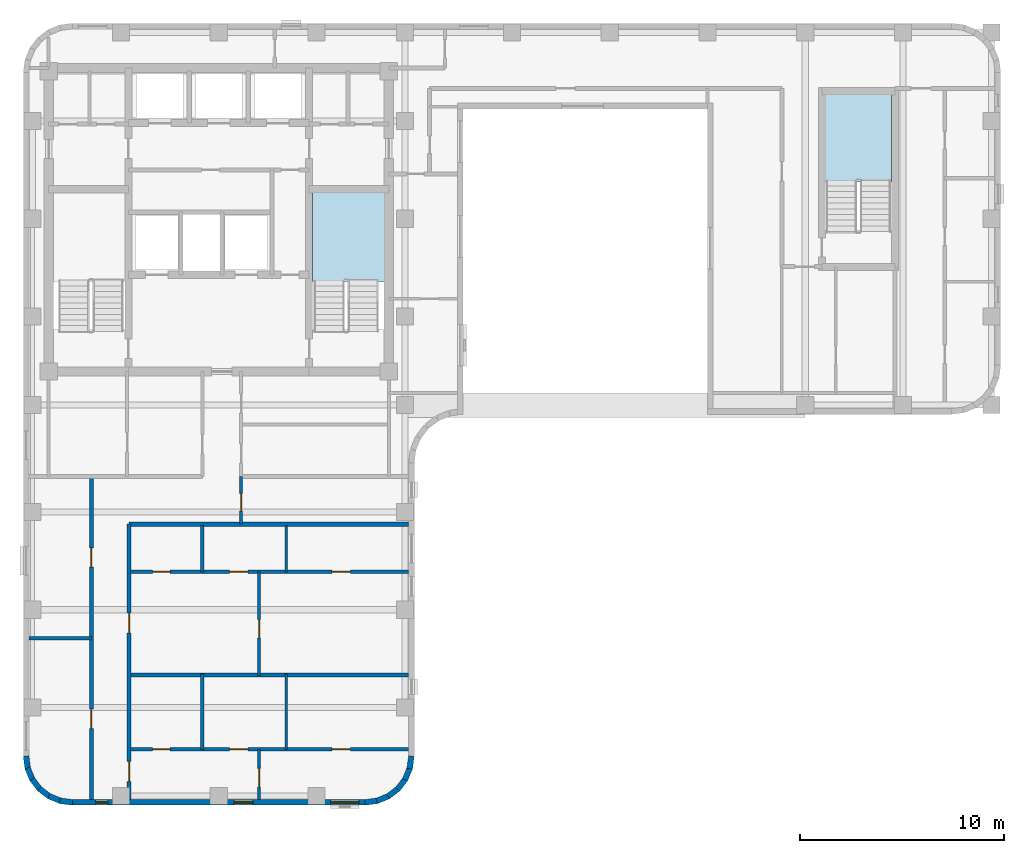
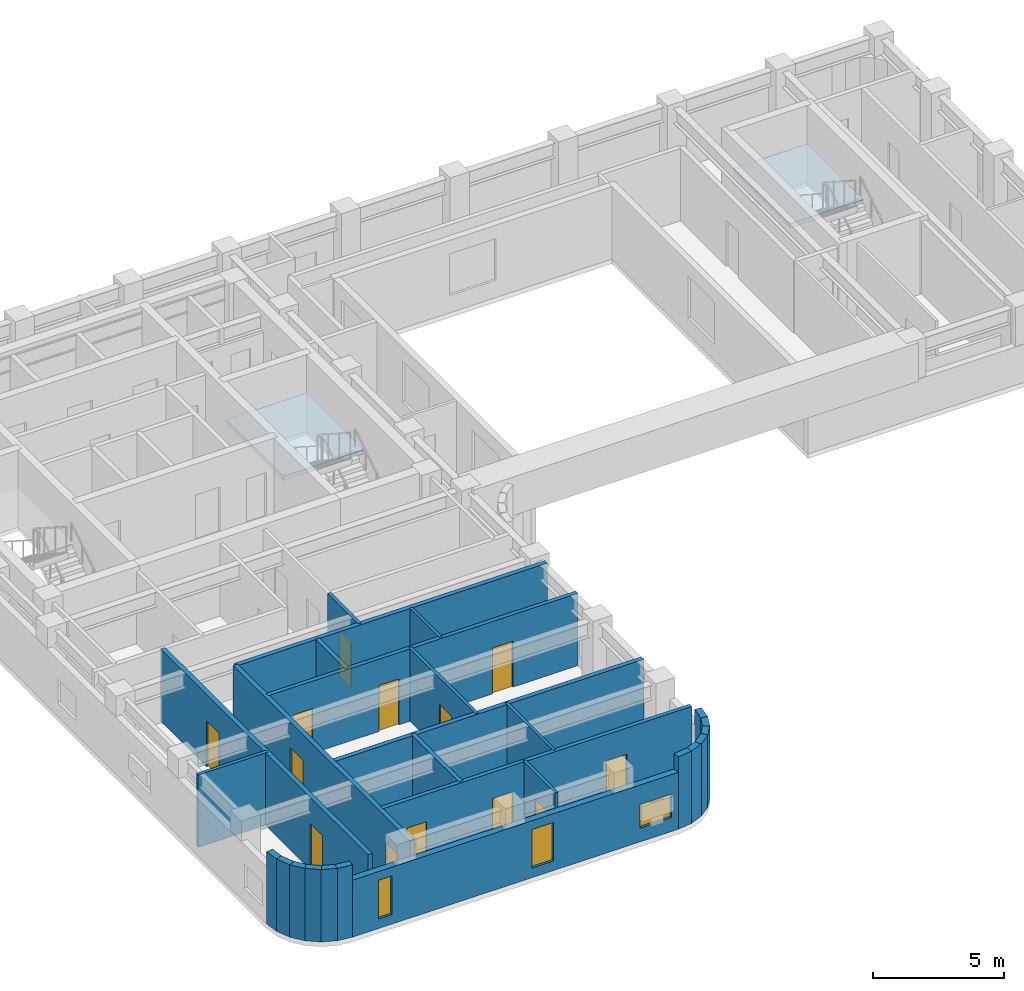
# One storey, part 2 of 8: 27 walls, 13 doors, 3 windows, 2 slabs, 16 openings, 2 elements without a shape of their own.
"""IFC4 building model written with IfcOpenShell, lengths in metres."""

from ifc_helpers import new_model, si_unit, direction, frame, frame_2d, origin, place, context, subcontext, project, spatial, polyline, rectangle, outline, extrude, material, layer, layer_set, type_object, element, fill, aggregate, save


model = new_model("IFC4")

# Units and contexts
model_context = context("Model", 3, precision=1e-05, world=origin(), true_north=direction((0.0, 1.0)))
body_context = subcontext(model_context, "Body", "Model", "MODEL_VIEW")
ifc_project = project(units=[si_unit("LENGTHUNIT", "METRE"), si_unit("AREAUNIT", "SQUARE_METRE"), si_unit("VOLUMEUNIT", "CUBIC_METRE"), si_unit("PLANEANGLEUNIT", "RADIAN"), si_unit("MASSUNIT", "GRAM", prefix="KILO")], contexts=[model_context])

# Site, building, storey
site_placement = place(None, origin())
site = spatial("IfcSite", under=ifc_project, at=site_placement, CompositionType="ELEMENT")
building_placement = place(site_placement, origin())
building = spatial("IfcBuilding", under=site, at=building_placement, Name="Orvandelia Arch Residences", CompositionType="ELEMENT")
storey_placement = place(building_placement, frame((0.0, 0.0, 203.800048828125)))
storey = spatial("IfcBuildingStorey", under=building, at=storey_placement, Name="L53", CompositionType="ELEMENT", Elevation=203.800048828125)

# Stair, slab
ifc_material_1 = material(Name="Concrete C40/50", Category="concrete")
stair_type = type_object("IfcStairType", Name="STAIR-RC-DOGLEG", PredefinedType="HALF_TURN_STAIR", material=ifc_material_1)
stair_1_placement = place(storey_placement, origin())
stair_1 = element("IfcStair", 1, at=stair_1_placement, inside=storey, type_object=stair_type, Name="L53 Protected Exit Stair ST-2", PredefinedType="HALF_TURN_STAIR")
ifc_layer_1 = layer(ifc_material_1, 0.219970703125, Name="Concrete C40/50", Category="concrete")
ifc_layer_set_1 = layer_set([ifc_layer_1], Name="Concrete C40/50")
slab_type = type_object("IfcSlabType", Name="SLB-LANDING-220", PredefinedType="LANDING", material=ifc_layer_set_1)
slab_1_placement = place(storey_placement, frame((0.0, 0.0, 1.599853515625)))
slab_1 = element("IfcSlab", 2, at=slab_1_placement, type_object=slab_type, Name="ST-2 landing 1", PredefinedType="LANDING", context=body_context, shape_type="SweptSolid", body=[
    extrude(outline(polyline([(22.5400390625, 35.31005859375), (22.5400390625, 39.68994140625), (19.0, 39.68994140625), (19.0, 35.31005859375), (22.5400390625, 35.31005859375)])), origin(), (0.0, 0.0, 1.0), 0.2001953125),
])
aggregate(stair_1, [slab_1])

stair_2_placement = place(storey_placement, origin())
stair_2 = element("IfcStair", 3, at=stair_2_placement, inside=storey, type_object=stair_type, Name="L53 East Wing Exit Stair ST-3", PredefinedType="HALF_TURN_STAIR")
slab_2_placement = place(storey_placement, frame((0.0, 0.0, 1.599853515625)))
slab_2 = element("IfcSlab", 4, at=slab_2_placement, type_object=slab_type, Name="ST-3 landing 1", PredefinedType="LANDING", context=body_context, shape_type="SweptSolid", body=[
    extrude(outline(polyline([(47.43994140625, 40.2099609375), (47.43994140625, 44.5), (44.179931640625, 44.5), (44.179931640625, 40.2099609375), (47.43994140625, 40.2099609375)])), origin(), (0.0, 0.0, 1.0), 0.2001953125),
])
aggregate(stair_2, [slab_2])

# Wall, openings, doors
ifc_material_2 = material(Name="Fire-Rated Corridor Partition")
ifc_layer_2 = layer(ifc_material_2, 0.199951171875, Name="Fire-Rated Corridor Partition")
ifc_layer_set_2 = layer_set([ifc_layer_2], Name="Fire-Rated Corridor Partition")
wall_type_1 = type_object("IfcWallType", Name="WL-CORR-200", PredefinedType="PARTITIONING", material=ifc_layer_set_2)
wall_1_placement = place(storey_placement, frame((8.14990234375, 9.8798828125, 0.0), z_axis=(0.0, 0.0, 1.0), x_axis=(0.0, 1.0, 0.0)))
wall_1 = element("IfcWall", 5, at=wall_1_placement, inside=storey, type_object=wall_type_1, Name="Interior Partition Wall WL-L53-WC-W", PredefinedType="PARTITIONING", context=body_context, shape_type="SweptSolid", body=[
    extrude(rectangle(XDim=15.8701171875, YDim=0.199951171875, at=frame_2d((7.93505859375, 0.0))), origin(), (0.0, 0.0, 1.0), 3.3798828125),
])
opening_1_placement = place(wall_1_placement, frame((3.489990234375, 0.0, 0.0)))
opening_1 = element("IfcOpeningElement", 6, at=opening_1_placement, cuts=wall_1, Name="Opening D2", PredefinedType="OPENING", context=body_context, shape_type="SweptSolid", body=[
    extrude(rectangle(XDim=0.949951171875, YDim=2.14990234375, at=frame_2d((0.47509765625, 1.074951171875))), frame((0.0, 0.10986328125, 0.0), z_axis=(0.0, -1.0, 0.0), x_axis=(1.0, 0.0, 0.0)), (0.0, 0.0, 1.0), 0.219970703125),
])
opening_2_placement = place(wall_1_placement, frame((11.409912109375, 0.0, 0.0)))
opening_2 = element("IfcOpeningElement", 7, at=opening_2_placement, cuts=wall_1, Name="Opening D2", PredefinedType="OPENING", context=body_context, shape_type="SweptSolid", body=[
    extrude(rectangle(XDim=0.949951171875, YDim=2.14990234375, at=frame_2d((0.47509765625, 1.074951171875))), frame((0.0, 0.10986328125, 0.0), z_axis=(0.0, -1.0, 0.0), x_axis=(1.0, 0.0, 0.0)), (0.0, 0.0, 1.0), 0.219970703125),
])
ifc_material_3 = material(Name="Solid-Core Timber Interior Fire Door", Category="wood")
door_type_1 = type_object("IfcDoorType", Name="DR-APT-950", OperationType="NOTDEFINED", PredefinedType="DOOR", material=ifc_material_3)
door_1_placement = place(opening_1_placement, origin())
door_1 = element("IfcDoor", 8, at=door_1_placement, inside=storey, type_object=door_type_1, Name="DR-L53-WGRM-1", OperationType="SINGLE_SWING_LEFT", OverallHeight=2.14990234375, OverallWidth=0.949951171875, PredefinedType="DOOR", context=body_context, shape_type="SweptSolid", body=[
    extrude(rectangle(XDim=0.949951171875, YDim=2.14990234375, at=frame_2d((0.47509765625, 1.074951171875))), frame((0.0, 0.02490234375, 0.0), z_axis=(0.0, -1.0, 0.0), x_axis=(1.0, 0.0, 0.0)), (0.0, 0.0, 1.0), 0.050048828125),
])
fill(opening_1, door_1)
door_2_placement = place(opening_2_placement, origin())
door_2 = element("IfcDoor", 9, at=door_2_placement, inside=storey, type_object=door_type_1, Name="DR-L53-WGRM-2", OperationType="SINGLE_SWING_RIGHT", OverallHeight=2.14990234375, OverallWidth=0.949951171875, PredefinedType="DOOR", context=body_context, shape_type="SweptSolid", body=[
    extrude(rectangle(XDim=0.949951171875, YDim=2.14990234375, at=frame_2d((0.47509765625, 1.074951171875))), frame((0.0, 0.02490234375, 0.0), z_axis=(0.0, -1.0, 0.0), x_axis=(1.0, 0.0, 0.0)), (0.0, 0.0, 1.0), 0.050048828125),
])
fill(opening_2, door_2)

wall_2_placement = place(storey_placement, frame((10.0, 9.8798828125, 0.0), z_axis=(0.0, 0.0, 1.0), x_axis=(0.0, 1.0, 0.0)))
wall_2 = element("IfcWall", 10, at=wall_2_placement, inside=storey, type_object=wall_type_1, Name="Interior Partition Wall WL-L53-WC-E", PredefinedType="PARTITIONING", context=body_context, shape_type="SweptSolid", body=[
    extrude(rectangle(XDim=13.52001953125, YDim=0.199951171875, at=frame_2d((6.760009765625, 0.0))), origin(), (0.0, 0.0, 1.0), 3.3798828125),
])
opening_3_placement = place(wall_2_placement, frame((0.89404296875, 0.0, 0.0)))
opening_3 = element("IfcOpeningElement", 11, at=opening_3_placement, cuts=wall_2, Name="Opening D1", PredefinedType="OPENING", context=body_context, shape_type="SweptSolid", body=[
    extrude(rectangle(XDim=0.97998046875, YDim=2.179931640625, at=frame_2d((0.489990234375, 1.08984375))), frame((0.0, 0.10986328125, 0.0), z_axis=(0.0, -1.0, 0.0), x_axis=(1.0, 0.0, 0.0)), (0.0, 0.0, 1.0), 0.219970703125),
])
opening_4_placement = place(wall_2_placement, frame((8.179931640625, 0.0, 0.0)))
opening_4 = element("IfcOpeningElement", 12, at=opening_4_placement, cuts=wall_2, Name="Opening D1", PredefinedType="OPENING", context=body_context, shape_type="SweptSolid", body=[
    extrude(rectangle(XDim=0.97998046875, YDim=2.179931640625, at=frame_2d((0.489990234375, 1.08984375))), frame((0.0, 0.10986328125, 0.0), z_axis=(0.0, -1.0, 0.0), x_axis=(1.0, 0.0, 0.0)), (0.0, 0.0, 1.0), 0.219970703125),
])
ifc_material_4 = material(Name="Solid-Core Timber Acoustic Fire Door", Category="wood")
door_type_2 = type_object("IfcDoorType", Name="DR-ENT-980", OperationType="NOTDEFINED", PredefinedType="DOOR", material=ifc_material_4)
door_3_placement = place(opening_3_placement, origin())
door_3 = element("IfcDoor", 13, at=door_3_placement, inside=storey, type_object=door_type_2, Name="Unit L53-01 Entrance Door", OperationType="SINGLE_SWING_LEFT", OverallHeight=2.179931640625, OverallWidth=0.97998046875, PredefinedType="DOOR", context=body_context, shape_type="SweptSolid", body=[
    extrude(rectangle(XDim=0.97998046875, YDim=2.179931640625, at=frame_2d((0.489990234375, 1.08984375))), frame((0.0, 0.02490234375, 0.0), z_axis=(0.0, -1.0, 0.0), x_axis=(1.0, 0.0, 0.0)), (0.0, 0.0, 1.0), 0.050048828125),
])
fill(opening_3, door_3)
door_4_placement = place(opening_4_placement, origin())
door_4 = element("IfcDoor", 14, at=door_4_placement, inside=storey, type_object=door_type_2, Name="Unit L53-02 Entrance Door", OperationType="SINGLE_SWING_RIGHT", OverallHeight=2.179931640625, OverallWidth=0.97998046875, PredefinedType="DOOR", context=body_context, shape_type="SweptSolid", body=[
    extrude(rectangle(XDim=0.97998046875, YDim=2.179931640625, at=frame_2d((0.489990234375, 1.08984375))), frame((0.0, 0.02490234375, 0.0), z_axis=(0.0, -1.0, 0.0), x_axis=(1.0, 0.0, 0.0)), (0.0, 0.0, 1.0), 0.050048828125),
])
fill(opening_4, door_4)

# Walls
wall_3_placement = place(storey_placement, frame((10.0, 23.39990234375, 0.0), z_axis=(0.0, 0.0, 1.0), x_axis=(1.0, 0.0, 0.0)))
element("IfcWall", 15, at=wall_3_placement, inside=storey, type_object=wall_type_1, Name="Interior Partition Wall WL-L53-WLNK-S", PredefinedType="PARTITIONING", context=body_context, shape_type="SweptSolid", body=[
    extrude(rectangle(XDim=13.719970703125, YDim=0.199951171875, at=frame_2d((6.85986328125, 0.0))), origin(), (0.0, 0.0, 1.0), 3.3798828125),
])
ifc_layer_3 = layer(ifc_material_1, 0.199951171875, Name="Concrete C40/50", Category="concrete")
ifc_layer_set_3 = layer_set([ifc_layer_3], Name="Concrete C40/50")
wall_type_2 = type_object("IfcWallType", Name="WL-DEM-200", PredefinedType="SOLIDWALL", material=ifc_layer_set_3)
wall_4_placement = place(storey_placement, frame((10.0, 16.0, 0.0), z_axis=(0.0, 0.0, 1.0), x_axis=(1.0, 0.0, 0.0)))
element("IfcWall", 16, at=wall_4_placement, inside=storey, type_object=wall_type_2, Name="Interior Partition Wall WL-L53-DEM-WR-160", PredefinedType="SOLIDWALL", context=body_context, shape_type="SweptSolid", body=[
    extrude(rectangle(XDim=13.719970703125, YDim=0.199951171875, at=frame_2d((6.85986328125, 0.0))), origin(), (0.0, 0.0, 1.0), 3.3798828125),
])
ifc_material_5 = material(Name="Precast concrete C40/50", Category="concrete")
ifc_layer_4 = layer(ifc_material_5, 0.280029296875, Name="Precast concrete C40/50", Category="concrete")
ifc_layer_set_4 = layer_set([ifc_layer_4], Name="Precast concrete C40/50")
wall_type_3 = type_object("IfcWallType", Name="WL-EXT-STONE-280", PredefinedType="STANDARD", material=ifc_layer_set_4)
for number, where, z_axis, x_axis, name in (
    (17, (23.861083984375, 12.018310546875, 0.0), (0.0, 0.0, 1.0), (-0.130555323746, -0.9914410257, 0.0), "Coral-Limestone Precast Facade Wall L53-032"),
    (18, (23.788818359375, 11.432373046875, 0.0), (0.0, 0.0, 1.0), (-0.382317370307, -0.924031075431, 0.0), "Coral-Limestone Precast Facade Wall L53-033"),
    (19, (23.5673828125, 10.88525390625, 0.0), (0.0, 0.0, 1.0), (-0.608693302629, -0.793405610854, 0.0), "Coral-Limestone Precast Facade Wall L53-034"),
    (20, (23.2119140625, 10.4140625, 0.0), (0.0, 0.0, 1.0), (-0.793405610854, -0.608693302629, 0.0), "Coral-Limestone Precast Facade Wall L53-035"),
    (21, (22.746337890625, 10.05078125, 0.0), (0.0, 0.0, 1.0), (-0.92389335771, -0.382650053678, 0.0), "Coral-Limestone Precast Facade Wall L53-036"),
    (22, (22.202880859375, 9.820556640625, 0.0), (0.0, 0.0, 1.0), (-0.9914410257, -0.130555323746, 0.0), "Coral-Limestone Precast Facade Wall L53-037"),
):
    element("IfcWall", number, at=place(storey_placement, frame(where, z_axis=z_axis, x_axis=x_axis)), inside=storey, type_object=wall_type_3, Name=name, PredefinedType="STANDARD", context=body_context, shape_type="SweptSolid", body=[
        extrude(rectangle(XDim=0.62646484375, YDim=0.280029296875, at=frame_2d((0.313232421875, 0.0))), origin(), (0.0, 0.0, 1.0), 3.3798828125),
    ])

# Wall, openings, windows
wall_5_placement = place(storey_placement, frame((21.60009765625, 9.739990234375, 0.0), z_axis=(0.0, 0.0, 1.0), x_axis=(-1.0, 0.0, 0.0)))
wall_5 = element("IfcWall", 23, at=wall_5_placement, inside=storey, type_object=wall_type_3, Name="Coral-Limestone Precast Facade Wall L53-038", PredefinedType="STANDARD", context=body_context, shape_type="SweptSolid", body=[
    extrude(rectangle(XDim=14.400146484375, YDim=0.280029296875, at=frame_2d((7.2001953125, 0.0))), origin(), (0.0, 0.0, 1.0), 2.659912109375),
])
opening_5_placement = place(wall_5_placement, frame((12.6474609375, 0.0, 0.449951171875)))
opening_5 = element("IfcOpeningElement", 24, at=opening_5_placement, cuts=wall_5, Name="Opening W12", PredefinedType="OPENING", context=body_context, shape_type="SweptSolid", body=[
    extrude(rectangle(XDim=0.60009765625, YDim=1.800048828125, at=frame_2d((0.300048828125, 0.89990234375))), frame((0.0, 0.14990234375, 0.0), z_axis=(0.0, -1.0, 0.0), x_axis=(1.0, 0.0, 0.0)), (0.0, 0.0, 1.0), 0.300048828125),
])
opening_6_placement = place(wall_5_placement, frame((5.512939453125, 0.0, 0.449951171875)))
opening_6 = element("IfcOpeningElement", 25, at=opening_6_placement, cuts=wall_5, Name="Opening W4", PredefinedType="OPENING", context=body_context, shape_type="SweptSolid", body=[
    extrude(rectangle(XDim=0.949951171875, YDim=1.800048828125, at=frame_2d((0.47509765625, 0.89990234375))), frame((0.0, 0.14990234375, 0.0), z_axis=(0.0, -1.0, 0.0), x_axis=(1.0, 0.0, 0.0)), (0.0, 0.0, 1.0), 0.300048828125),
])
opening_7_placement = place(wall_5_placement, frame((0.3076171875, 0.0, 0.64990234375)))
opening_7 = element("IfcOpeningElement", 26, at=opening_7_placement, cuts=wall_5, Name="Opening W10", PredefinedType="OPENING", context=body_context, shape_type="SweptSolid", body=[
    extrude(rectangle(XDim=1.39990234375, YDim=1.10009765625, at=frame_2d((0.699951171875, 0.550048828125))), frame((0.0, 0.14990234375, 0.0), z_axis=(0.0, -1.0, 0.0), x_axis=(1.0, 0.0, 0.0)), (0.0, 0.0, 1.0), 0.300048828125),
])
ifc_material_6 = material(Name="Tempered Low-E Insulated Glazing", Category="glass")
window_type_1 = type_object("IfcWindowType", Name="WIN-CLR-1400x1100", PartitioningType="SINGLE_PANEL", PredefinedType="WINDOW", material=ifc_material_6)
window_1_placement = place(opening_7_placement, origin())
window_1 = element("IfcWindow", 27, at=window_1_placement, inside=storey, type_object=window_type_1, Name="Recessed Punched Window L53-018", OverallHeight=1.10009765625, OverallWidth=1.39990234375, PartitioningType="SINGLE_PANEL", PredefinedType="WINDOW", context=body_context, shape_type="SweptSolid", body=[
    extrude(rectangle(XDim=1.39990234375, YDim=1.10009765625, at=frame_2d((0.699951171875, 0.550048828125))), frame((0.0, 0.030029296875, 0.0), z_axis=(0.0, -1.0, 0.0), x_axis=(1.0, 0.0, 0.0)), (0.0, 0.0, 1.0), 0.06005859375),
])
fill(opening_7, window_1)
window_type_2 = type_object("IfcWindowType", Name="WIN-LAN-0600x1800", PartitioningType="SINGLE_PANEL", PredefinedType="WINDOW", material=ifc_material_6)
window_2_placement = place(opening_5_placement, origin())
window_2 = element("IfcWindow", 28, at=window_2_placement, inside=storey, type_object=window_type_2, Name="Recessed Punched Window L53-016", OverallHeight=1.800048828125, OverallWidth=0.60009765625, PartitioningType="SINGLE_PANEL", PredefinedType="WINDOW", context=body_context, shape_type="SweptSolid", body=[
    extrude(rectangle(XDim=0.60009765625, YDim=1.800048828125, at=frame_2d((0.300048828125, 0.89990234375))), frame((0.0, 0.030029296875, 0.0), z_axis=(0.0, -1.0, 0.0), x_axis=(1.0, 0.0, 0.0)), (0.0, 0.0, 1.0), 0.06005859375),
])
fill(opening_5, window_2)
window_type_3 = type_object("IfcWindowType", Name="WIN-RES-0950x1800", PartitioningType="SINGLE_PANEL", PredefinedType="WINDOW", material=ifc_material_6)
window_3_placement = place(opening_6_placement, origin())
window_3 = element("IfcWindow", 29, at=window_3_placement, inside=storey, type_object=window_type_3, Name="Recessed Punched Window L53-017", OverallHeight=1.800048828125, OverallWidth=0.949951171875, PartitioningType="SINGLE_PANEL", PredefinedType="WINDOW", context=body_context, shape_type="SweptSolid", body=[
    extrude(rectangle(XDim=0.949951171875, YDim=1.800048828125, at=frame_2d((0.47509765625, 0.89990234375))), frame((0.0, 0.030029296875, 0.0), z_axis=(0.0, -1.0, 0.0), x_axis=(1.0, 0.0, 0.0)), (0.0, 0.0, 1.0), 0.06005859375),
])
fill(opening_6, window_3)

# Walls
wall_6_placement = place(storey_placement, frame((7.21826171875, 9.73876953125, 0.0), z_axis=(0.0, 0.0, 1.0), x_axis=(-0.9914410257, 0.130555323746, 0.0)))
element("IfcWall", 30, at=wall_6_placement, inside=storey, type_object=wall_type_3, Name="Coral-Limestone Precast Facade Wall L53-039", PredefinedType="STANDARD", context=body_context, shape_type="SweptSolid", body=[
    extrude(rectangle(XDim=0.62646484375, YDim=0.280029296875, at=frame_2d((0.313232421875, 0.0))), origin(), (0.0, 0.0, 1.0), 3.3798828125),
])
wall_7_placement = place(storey_placement, frame((6.63232421875, 9.81103515625, 0.0), z_axis=(0.0, 0.0, 1.0), x_axis=(-0.923836271867, 0.382787856107, 0.0)))
element("IfcWall", 31, at=wall_7_placement, inside=storey, type_object=wall_type_3, Name="Coral-Limestone Precast Facade Wall L53-040", PredefinedType="STANDARD", context=body_context, shape_type="SweptSolid", body=[
    extrude(rectangle(XDim=0.626220703125, YDim=0.280029296875, at=frame_2d((0.31298828125, 0.0))), origin(), (0.0, 0.0, 1.0), 3.3798828125),
])
for number, where, z_axis, x_axis, name in (
    (32, (6.085205078125, 10.03271484375, 0.0), (0.0, 0.0, 1.0), (-0.793405610854, 0.608693302629, 0.0), "Coral-Limestone Precast Facade Wall L53-041"),
    (33, (5.614013671875, 10.38818359375, 0.0), (0.0, 0.0, 1.0), (-0.608693302629, 0.793405610854, 0.0), "Coral-Limestone Precast Facade Wall L53-042"),
    (34, (5.250732421875, 10.853515625, 0.0), (0.0, 0.0, 1.0), (-0.382650053678, 0.92389335771, 0.0), "Coral-Limestone Precast Facade Wall L53-043"),
    (35, (5.0205078125, 11.397216796875, 0.0), (0.0, 0.0, 1.0), (-0.130555323746, 0.9914410257, 0.0), "Coral-Limestone Precast Facade Wall L53-044"),
):
    element("IfcWall", number, at=place(storey_placement, frame(where, z_axis=z_axis, x_axis=x_axis)), inside=storey, type_object=wall_type_3, Name=name, PredefinedType="STANDARD", context=body_context, shape_type="SweptSolid", body=[
        extrude(rectangle(XDim=0.62646484375, YDim=0.280029296875, at=frame_2d((0.313232421875, 0.0))), origin(), (0.0, 0.0, 1.0), 3.3798828125),
    ])
ifc_material_7 = material(Name="Lightweight Gypsum Stud Partition")
ifc_layer_5 = layer(ifc_material_7, 0.1201171875, Name="Lightweight Gypsum Stud Partition")
ifc_layer_set_5 = layer_set([ifc_layer_5], Name="Lightweight Gypsum Stud Partition")
wall_type_4 = type_object("IfcWallType", Name="WL-PART-120", PredefinedType="PARTITIONING", material=ifc_layer_set_5)
wall_8_placement = place(storey_placement, frame((17.720947265625, 12.347900390625, 0.0), z_axis=(0.0, 0.0, 1.0), x_axis=(0.0, 1.0, 0.0)))
element("IfcWall", 36, at=wall_8_placement, inside=storey, type_object=wall_type_4, Name="Interior Partition Wall WL-L53-U01-V2", PredefinedType="PARTITIONING", context=body_context, shape_type="SweptSolid", body=[
    extrude(rectangle(XDim=3.692138671875, YDim=0.1201171875, at=frame_2d((1.84619140625, 0.0))), origin(), (0.0, 0.0, 1.0), 3.3798828125),
])
wall_9_placement = place(storey_placement, frame((17.720947265625, 21.06005859375, 0.0), z_axis=(0.0, 0.0, 1.0), x_axis=(0.0, 1.0, 0.0)))
element("IfcWall", 37, at=wall_9_placement, inside=storey, type_object=wall_type_4, Name="Interior Partition Wall WL-L53-U02-V2", PredefinedType="PARTITIONING", context=body_context, shape_type="SweptSolid", body=[
    extrude(rectangle(XDim=2.280029296875, YDim=0.1201171875, at=frame_2d((1.14013671875, 0.0))), origin(), (0.0, 0.0, 1.0), 3.3798828125),
])

# Wall, opening, door
ifc_material_8 = material(Name="Double-Layer Acoustic Gypsum Partition")
ifc_layer_6 = layer(ifc_material_8, 0.135009765625, Name="Double-Layer Acoustic Gypsum Partition")
ifc_layer_set_6 = layer_set([ifc_layer_6], Name="Double-Layer Acoustic Gypsum Partition")
wall_type_5 = type_object("IfcWallType", Name="WL-PART-135", PredefinedType="PARTITIONING", material=ifc_layer_set_6)
wall_10_placement = place(storey_placement, frame((16.37890625, 9.8798828125, 0.0), z_axis=(0.0, 0.0, 1.0), x_axis=(0.0, 1.0, 0.0)))
wall_10 = element("IfcWall", 38, at=wall_10_placement, inside=storey, type_object=wall_type_5, Name="Interior Partition Wall WL-L53-U01-DIN", PredefinedType="PARTITIONING", context=body_context, shape_type="SweptSolid", body=[
    extrude(rectangle(XDim=2.468017578125, YDim=0.135009765625, at=frame_2d((1.23388671875, 0.0))), origin(), (0.0, 0.0, 1.0), 3.3798828125),
])
opening_8_placement = place(wall_10_placement, frame((0.62548828125, 0.0, 0.0)))
opening_8 = element("IfcOpeningElement", 39, at=opening_8_placement, cuts=wall_10, Name="Opening D3", PredefinedType="OPENING", context=body_context, shape_type="SweptSolid", body=[
    extrude(rectangle(XDim=0.89990234375, YDim=2.14990234375, at=frame_2d((0.449951171875, 1.074951171875))), frame((0.0, 0.07763671875, 0.0), z_axis=(0.0, -1.0, 0.0), x_axis=(1.0, 0.0, 0.0)), (0.0, 0.0, 1.0), 0.155029296875),
])
ifc_material_9 = material(Name="Engineered Timber Flush Door", Category="wood")
door_type_3 = type_object("IfcDoorType", Name="DR-INT-900", OperationType="NOTDEFINED", PredefinedType="DOOR", material=ifc_material_9)
door_5_placement = place(opening_8_placement, origin())
door_5 = element("IfcDoor", 40, at=door_5_placement, inside=storey, type_object=door_type_3, Name="DR-L53-U01-DIN", OperationType="SINGLE_SWING_RIGHT", OverallHeight=2.14990234375, OverallWidth=0.89990234375, PredefinedType="DOOR", context=body_context, shape_type="SweptSolid", body=[
    extrude(rectangle(XDim=0.89990234375, YDim=2.14990234375, at=frame_2d((0.449951171875, 1.074951171875))), frame((0.0, 0.02490234375, 0.0), z_axis=(0.0, -1.0, 0.0), x_axis=(1.0, 0.0, 0.0)), (0.0, 0.0, 1.0), 0.050048828125),
])
fill(opening_8, door_5)

wall_11_placement = place(storey_placement, frame((16.37890625, 15.9599609375, 0.0), z_axis=(0.0, 0.0, 1.0), x_axis=(0.0, 1.0, 0.0)))
wall_11 = element("IfcWall", 41, at=wall_11_placement, inside=storey, type_object=wall_type_5, Name="Interior Partition Wall WL-L53-U02-DIN", PredefinedType="PARTITIONING", context=body_context, shape_type="SweptSolid", body=[
    extrude(rectangle(XDim=5.10009765625, YDim=0.135009765625, at=frame_2d((2.550048828125, 0.0))), origin(), (0.0, 0.0, 1.0), 3.3798828125),
])
opening_9_placement = place(wall_11_placement, frame((1.85400390625, 0.0, 0.0)))
opening_9 = element("IfcOpeningElement", 42, at=opening_9_placement, cuts=wall_11, Name="Opening D3", PredefinedType="OPENING", context=body_context, shape_type="SweptSolid", body=[
    extrude(rectangle(XDim=0.89990234375, YDim=2.14990234375, at=frame_2d((0.449951171875, 1.074951171875))), frame((0.0, 0.07763671875, 0.0), z_axis=(0.0, -1.0, 0.0), x_axis=(1.0, 0.0, 0.0)), (0.0, 0.0, 1.0), 0.155029296875),
])
door_6_placement = place(opening_9_placement, origin())
door_6 = element("IfcDoor", 43, at=door_6_placement, inside=storey, type_object=door_type_3, Name="DR-L53-U02-DIN", OperationType="SINGLE_SWING_LEFT", OverallHeight=2.14990234375, OverallWidth=0.89990234375, PredefinedType="DOOR", context=body_context, shape_type="SweptSolid", body=[
    extrude(rectangle(XDim=0.89990234375, YDim=2.14990234375, at=frame_2d((0.449951171875, 1.074951171875))), frame((0.0, 0.02490234375, 0.0), z_axis=(0.0, -1.0, 0.0), x_axis=(1.0, 0.0, 0.0)), (0.0, 0.0, 1.0), 0.050048828125),
])
fill(opening_9, door_6)

ifc_material_10 = material(Name="Acoustic Gypsum Stud Partition")
ifc_layer_7 = layer(ifc_material_10, 0.14990234375, Name="Acoustic Gypsum Stud Partition")
ifc_layer_set_7 = layer_set([ifc_layer_7], Name="Acoustic Gypsum Stud Partition")
wall_type_6 = type_object("IfcWallType", Name="WL-PART-150", PredefinedType="PARTITIONING", material=ifc_layer_set_7)
wall_12_placement = place(storey_placement, frame((15.5, 23.39990234375, 0.0), z_axis=(0.0, 0.0, 1.0), x_axis=(0.0, 1.0, 0.0)))
wall_12 = element("IfcWall", 44, at=wall_12_placement, inside=storey, type_object=wall_type_6, Name="Interior Partition Wall WL-L53-WLNK-E", PredefinedType="PARTITIONING", context=body_context, shape_type="SweptSolid", body=[
    extrude(rectangle(XDim=2.35009765625, YDim=0.14990234375, at=frame_2d((1.175048828125, 0.0))), origin(), (0.0, 0.0, 1.0), 3.3798828125),
])
opening_10_placement = place(wall_12_placement, frame((0.64990234375, 0.0, 0.0)))
opening_10 = element("IfcOpeningElement", 45, at=opening_10_placement, cuts=wall_12, Name="Opening D4", PredefinedType="OPENING", context=body_context, shape_type="SweptSolid", body=[
    extrude(rectangle(XDim=0.860107421875, YDim=2.10009765625, at=frame_2d((0.43017578125, 1.050048828125))), frame((0.0, 0.0849609375, 0.0), z_axis=(0.0, -1.0, 0.0), x_axis=(1.0, 0.0, 0.0)), (0.0, 0.0, 1.0), 0.169921875),
])
ifc_material_11 = material(Name="Moisture-Sealed Timber Bathroom Door", Category="wood")
door_type_4 = type_object("IfcDoorType", Name="DR-WET-900", OperationType="NOTDEFINED", PredefinedType="DOOR", material=ifc_material_11)
door_7_placement = place(opening_10_placement, origin())
door_7 = element("IfcDoor", 46, at=door_7_placement, inside=storey, type_object=door_type_4, Name="DR-L53-WLNKST", OperationType="SINGLE_SWING_RIGHT", OverallHeight=2.10009765625, OverallWidth=0.860107421875, PredefinedType="DOOR", context=body_context, shape_type="SweptSolid", body=[
    extrude(rectangle(XDim=0.860107421875, YDim=2.10009765625, at=frame_2d((0.43017578125, 1.050048828125))), frame((0.0, 0.02490234375, 0.0), z_axis=(0.0, -1.0, 0.0), x_axis=(1.0, 0.0, 0.0)), (0.0, 0.0, 1.0), 0.050048828125),
])
fill(opening_10, door_7)

# Wall
wall_13_placement = place(storey_placement, frame((5.080078125, 17.800048828125, 0.0), z_axis=(0.0, 0.0, 1.0), x_axis=(1.0, 0.0, 0.0)))
element("IfcWall", 47, at=wall_13_placement, inside=storey, type_object=wall_type_6, Name="Interior Partition Wall WL-L53-WGDIV-1", PredefinedType="PARTITIONING", context=body_context, shape_type="SweptSolid", body=[
    extrude(rectangle(XDim=3.06982421875, YDim=0.14990234375, at=frame_2d((1.534912109375, 0.0))), origin(), (0.0, 0.0, 1.0), 3.3798828125),
])

# Wall, openings, doors
ifc_material_12 = material(Name="Moisture-Resistant Plumbing Wall")
ifc_layer_8 = layer(ifc_material_12, 0.179931640625, Name="Moisture-Resistant Plumbing Wall")
ifc_layer_set_8 = layer_set([ifc_layer_8], Name="Moisture-Resistant Plumbing Wall")
wall_type_7 = type_object("IfcWallType", Name="WL-WET-180", PredefinedType="PLUMBINGWALL", material=ifc_layer_set_8)
wall_14_placement = place(storey_placement, frame((10.06005859375, 12.347900390625, 0.0), z_axis=(0.0, 0.0, 1.0), x_axis=(1.0, 0.0, 0.0)))
wall_14 = element("IfcWall", 48, at=wall_14_placement, inside=storey, type_object=wall_type_7, Name="Interior Partition Wall WL-L53-U01-HZ", PredefinedType="PLUMBINGWALL", context=body_context, shape_type="SweptSolid", body=[
    extrude(rectangle(XDim=13.659912109375, YDim=0.179931640625, at=frame_2d((6.830078125, 0.0))), origin(), (0.0, 0.0, 1.0), 3.3798828125),
])
opening_11_placement = place(wall_14_placement, frame((1.0908203125, 0.0, 0.0)))
opening_11 = element("IfcOpeningElement", 49, at=opening_11_placement, cuts=wall_14, Name="Opening D4", PredefinedType="OPENING", context=body_context, shape_type="SweptSolid", body=[
    extrude(rectangle(XDim=0.860107421875, YDim=2.10009765625, at=frame_2d((0.43017578125, 1.050048828125))), frame((0.0, 0.10009765625, 0.0), z_axis=(0.0, -1.0, 0.0), x_axis=(1.0, 0.0, 0.0)), (0.0, 0.0, 1.0), 0.199951171875),
])
opening_12_placement = place(wall_14_placement, frame((4.8681640625, 0.0, 0.0)))
opening_12 = element("IfcOpeningElement", 50, at=opening_12_placement, cuts=wall_14, Name="Opening D3", PredefinedType="OPENING", context=body_context, shape_type="SweptSolid", body=[
    extrude(rectangle(XDim=0.89990234375, YDim=2.14990234375, at=frame_2d((0.449951171875, 1.074951171875))), frame((0.0, 0.10009765625, 0.0), z_axis=(0.0, -1.0, 0.0), x_axis=(1.0, 0.0, 0.0)), (0.0, 0.0, 1.0), 0.199951171875),
])
opening_13_placement = place(wall_14_placement, frame((9.897216796875, 0.0, 0.0)))
opening_13 = element("IfcOpeningElement", 51, at=opening_13_placement, cuts=wall_14, Name="Opening D3", PredefinedType="OPENING", context=body_context, shape_type="SweptSolid", body=[
    extrude(rectangle(XDim=0.89990234375, YDim=2.14990234375, at=frame_2d((0.449951171875, 1.074951171875))), frame((0.0, 0.10009765625, 0.0), z_axis=(0.0, -1.0, 0.0), x_axis=(1.0, 0.0, 0.0)), (0.0, 0.0, 1.0), 0.199951171875),
])
door_8_placement = place(opening_12_placement, origin())
door_8 = element("IfcDoor", 52, at=door_8_placement, inside=storey, type_object=door_type_3, Name="DR-L53-U01-KIT", OperationType="SINGLE_SWING_LEFT", OverallHeight=2.14990234375, OverallWidth=0.89990234375, PredefinedType="DOOR", context=body_context, shape_type="SweptSolid", body=[
    extrude(rectangle(XDim=0.89990234375, YDim=2.14990234375, at=frame_2d((0.449951171875, 1.074951171875))), frame((0.0, 0.02490234375, 0.0), z_axis=(0.0, -1.0, 0.0), x_axis=(1.0, 0.0, 0.0)), (0.0, 0.0, 1.0), 0.050048828125),
])
fill(opening_12, door_8)
door_9_placement = place(opening_13_placement, origin())
door_9 = element("IfcDoor", 53, at=door_9_placement, inside=storey, type_object=door_type_3, Name="DR-L53-U01-BD1", OperationType="SINGLE_SWING_RIGHT", OverallHeight=2.14990234375, OverallWidth=0.89990234375, PredefinedType="DOOR", context=body_context, shape_type="SweptSolid", body=[
    extrude(rectangle(XDim=0.89990234375, YDim=2.14990234375, at=frame_2d((0.449951171875, 1.074951171875))), frame((0.0, 0.02490234375, 0.0), z_axis=(0.0, -1.0, 0.0), x_axis=(1.0, 0.0, 0.0)), (0.0, 0.0, 1.0), 0.050048828125),
])
fill(opening_13, door_9)
door_10_placement = place(opening_11_placement, origin())
door_10 = element("IfcDoor", 54, at=door_10_placement, inside=storey, type_object=door_type_4, Name="DR-L53-U01-BTH", OperationType="SINGLE_SWING_RIGHT", OverallHeight=2.10009765625, OverallWidth=0.860107421875, PredefinedType="DOOR", context=body_context, shape_type="SweptSolid", body=[
    extrude(rectangle(XDim=0.860107421875, YDim=2.10009765625, at=frame_2d((0.43017578125, 1.050048828125))), frame((0.0, 0.02490234375, 0.0), z_axis=(0.0, -1.0, 0.0), x_axis=(1.0, 0.0, 0.0)), (0.0, 0.0, 1.0), 0.050048828125),
])
fill(opening_11, door_10)

# Wall
wall_15_placement = place(storey_placement, frame((13.583984375, 12.347900390625, 0.0), z_axis=(0.0, 0.0, 1.0), x_axis=(0.0, 1.0, 0.0)))
element("IfcWall", 55, at=wall_15_placement, inside=storey, type_object=wall_type_7, Name="Interior Partition Wall WL-L53-U01-V1", PredefinedType="PLUMBINGWALL", context=body_context, shape_type="SweptSolid", body=[
    extrude(rectangle(XDim=3.692138671875, YDim=0.179931640625, at=frame_2d((1.84619140625, 0.0))), origin(), (0.0, 0.0, 1.0), 3.3798828125),
])

# Wall, openings, doors
wall_16_placement = place(storey_placement, frame((10.06005859375, 21.06005859375, 0.0), z_axis=(0.0, 0.0, 1.0), x_axis=(1.0, 0.0, 0.0)))
wall_16 = element("IfcWall", 56, at=wall_16_placement, inside=storey, type_object=wall_type_7, Name="Interior Partition Wall WL-L53-U02-HZ", PredefinedType="PLUMBINGWALL", context=body_context, shape_type="SweptSolid", body=[
    extrude(rectangle(XDim=13.659912109375, YDim=0.179931640625, at=frame_2d((6.830078125, 0.0))), origin(), (0.0, 0.0, 1.0), 3.3798828125),
])
opening_14_placement = place(wall_16_placement, frame((1.0908203125, 0.0, 0.0)))
opening_14 = element("IfcOpeningElement", 57, at=opening_14_placement, cuts=wall_16, Name="Opening D4", PredefinedType="OPENING", context=body_context, shape_type="SweptSolid", body=[
    extrude(rectangle(XDim=0.860107421875, YDim=2.10009765625, at=frame_2d((0.43017578125, 1.050048828125))), frame((0.0, 0.10009765625, 0.0), z_axis=(0.0, -1.0, 0.0), x_axis=(1.0, 0.0, 0.0)), (0.0, 0.0, 1.0), 0.199951171875),
])
opening_15_placement = place(wall_16_placement, frame((4.8681640625, 0.0, 0.0)))
opening_15 = element("IfcOpeningElement", 58, at=opening_15_placement, cuts=wall_16, Name="Opening D3", PredefinedType="OPENING", context=body_context, shape_type="SweptSolid", body=[
    extrude(rectangle(XDim=0.89990234375, YDim=2.14990234375, at=frame_2d((0.449951171875, 1.074951171875))), frame((0.0, 0.10009765625, 0.0), z_axis=(0.0, -1.0, 0.0), x_axis=(1.0, 0.0, 0.0)), (0.0, 0.0, 1.0), 0.199951171875),
])
opening_16_placement = place(wall_16_placement, frame((9.897216796875, 0.0, 0.0)))
opening_16 = element("IfcOpeningElement", 59, at=opening_16_placement, cuts=wall_16, Name="Opening D3", PredefinedType="OPENING", context=body_context, shape_type="SweptSolid", body=[
    extrude(rectangle(XDim=0.89990234375, YDim=2.14990234375, at=frame_2d((0.449951171875, 1.074951171875))), frame((0.0, 0.10009765625, 0.0), z_axis=(0.0, -1.0, 0.0), x_axis=(1.0, 0.0, 0.0)), (0.0, 0.0, 1.0), 0.199951171875),
])
door_11_placement = place(opening_15_placement, origin())
door_11 = element("IfcDoor", 60, at=door_11_placement, inside=storey, type_object=door_type_3, Name="DR-L53-U02-KIT", OperationType="SINGLE_SWING_RIGHT", OverallHeight=2.14990234375, OverallWidth=0.89990234375, PredefinedType="DOOR", context=body_context, shape_type="SweptSolid", body=[
    extrude(rectangle(XDim=0.89990234375, YDim=2.14990234375, at=frame_2d((0.449951171875, 1.074951171875))), frame((0.0, 0.02490234375, 0.0), z_axis=(0.0, -1.0, 0.0), x_axis=(1.0, 0.0, 0.0)), (0.0, 0.0, 1.0), 0.050048828125),
])
fill(opening_15, door_11)
door_12_placement = place(opening_16_placement, origin())
door_12 = element("IfcDoor", 61, at=door_12_placement, inside=storey, type_object=door_type_3, Name="DR-L53-U02-BD1", OperationType="SINGLE_SWING_LEFT", OverallHeight=2.14990234375, OverallWidth=0.89990234375, PredefinedType="DOOR", context=body_context, shape_type="SweptSolid", body=[
    extrude(rectangle(XDim=0.89990234375, YDim=2.14990234375, at=frame_2d((0.449951171875, 1.074951171875))), frame((0.0, 0.02490234375, 0.0), z_axis=(0.0, -1.0, 0.0), x_axis=(1.0, 0.0, 0.0)), (0.0, 0.0, 1.0), 0.050048828125),
])
fill(opening_16, door_12)
door_13_placement = place(opening_14_placement, origin())
door_13 = element("IfcDoor", 62, at=door_13_placement, inside=storey, type_object=door_type_4, Name="DR-L53-U02-BTH", OperationType="SINGLE_SWING_LEFT", OverallHeight=2.10009765625, OverallWidth=0.860107421875, PredefinedType="DOOR", context=body_context, shape_type="SweptSolid", body=[
    extrude(rectangle(XDim=0.860107421875, YDim=2.10009765625, at=frame_2d((0.43017578125, 1.050048828125))), frame((0.0, 0.02490234375, 0.0), z_axis=(0.0, -1.0, 0.0), x_axis=(1.0, 0.0, 0.0)), (0.0, 0.0, 1.0), 0.050048828125),
])
fill(opening_14, door_13)

# Wall
wall_17_placement = place(storey_placement, frame((13.583984375, 21.06005859375, 0.0), z_axis=(0.0, 0.0, 1.0), x_axis=(0.0, 1.0, 0.0)))
element("IfcWall", 63, at=wall_17_placement, inside=storey, type_object=wall_type_7, Name="Interior Partition Wall WL-L53-U02-V1", PredefinedType="PLUMBINGWALL", context=body_context, shape_type="SweptSolid", body=[
    extrude(rectangle(XDim=2.280029296875, YDim=0.179931640625, at=frame_2d((1.14013671875, 0.0))), origin(), (0.0, 0.0, 1.0), 3.3798828125),
])

save(model, "model.ifc")
